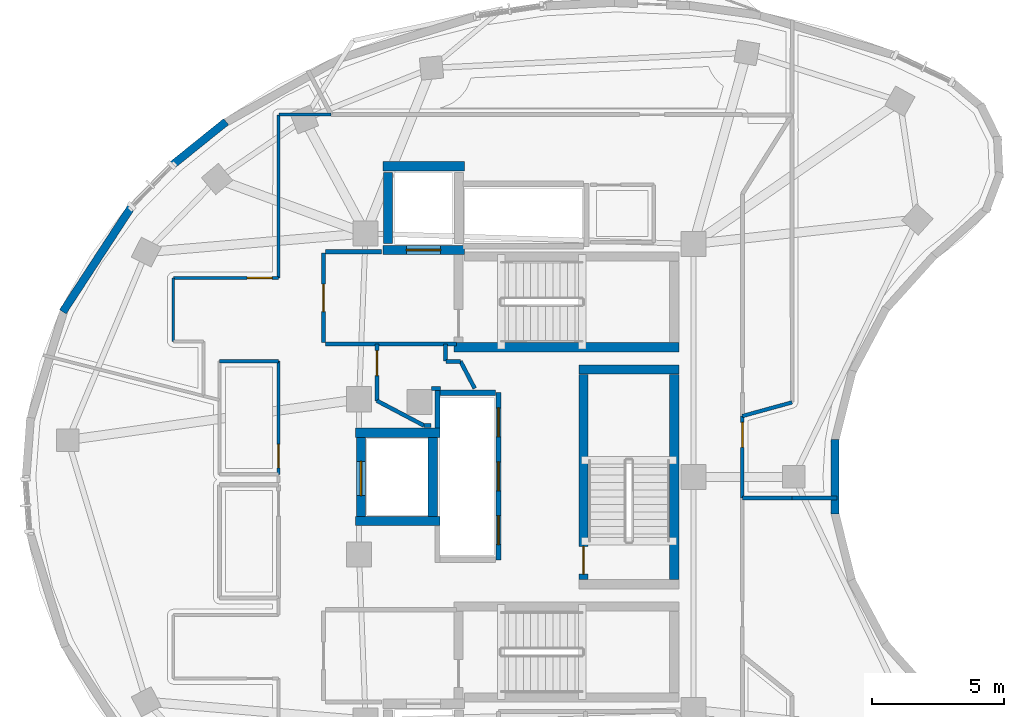
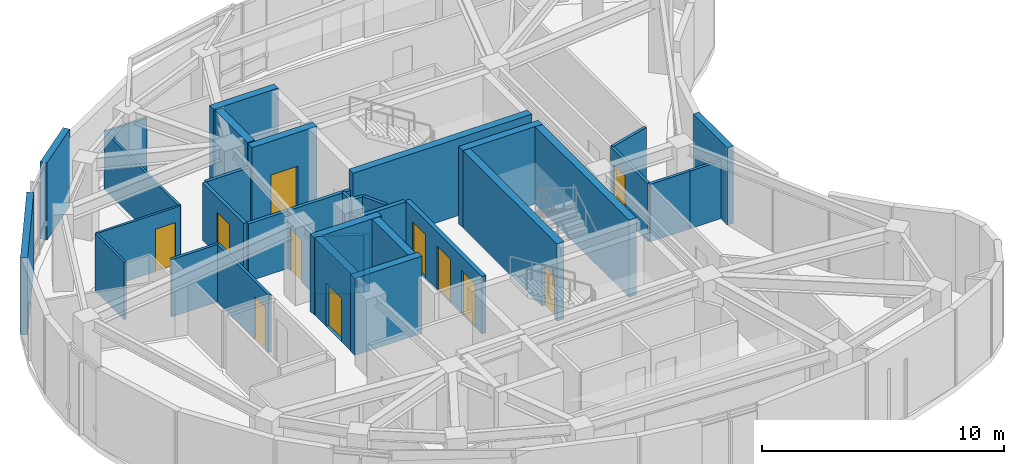
# One storey, part 5 of 10: 37 walls, 11 doors, 11 openings.
"""IFC4 building model written with IfcOpenShell, lengths in metres."""

from ifc_helpers import new_model, si_unit, direction, frame, frame_2d, origin, place, context, subcontext, project, spatial, rectangle, extrude, material, layer, layer_set, type_object, element, fill, save


model = new_model("IFC4")

# Units and contexts
model_context = context("Model", 3, precision=1e-05, world=origin(), true_north=direction((0.0, 1.0)))
body_context = subcontext(model_context, "Body", "Model", "MODEL_VIEW")
ifc_project = project(units=[si_unit("LENGTHUNIT", "METRE"), si_unit("AREAUNIT", "SQUARE_METRE"), si_unit("VOLUMEUNIT", "CUBIC_METRE"), si_unit("PLANEANGLEUNIT", "RADIAN"), si_unit("MASSUNIT", "GRAM", prefix="KILO")], contexts=[model_context])

# Site, building, storey
site_placement = place(None, origin())
site = spatial("IfcSite", under=ifc_project, at=site_placement, CompositionType="ELEMENT")
building_placement = place(site_placement, origin())
building = spatial("IfcBuilding", under=site, at=building_placement, Name="Korentha Bioscience Tower", CompositionType="ELEMENT")
storey_placement = place(building_placement, frame((0.0, 0.0, 306.0)))
storey = spatial("IfcBuildingStorey", under=building, at=storey_placement, Name="L70", CompositionType="ELEMENT", Elevation=306.0)

# Wall, opening, door
ifc_material_1 = material(Name="Double-Stud Acoustic Gypsum", Category="gypsum")
ifc_layer_1 = layer(ifc_material_1, 0.14990234375, Name="Double-Stud Acoustic Gypsum")
ifc_layer_set_1 = layer_set([ifc_layer_1], Name="Double-Stud Acoustic Gypsum (IW-L150)")
wall_type_1 = type_object("IfcWallType", Name="Acoustic Laboratory Partition Wall 150", PredefinedType="PARTITIONING", material=ifc_layer_set_1)
wall_1_placement = place(storey_placement, frame((25.530029296875, 29.89208984375, 0.0), z_axis=(0.0, 0.0, 1.0), x_axis=(0.0, 1.0, 0.0)))
wall_1 = element("IfcWall", 1, at=wall_1_placement, inside=storey, type_object=wall_type_1, Name="L70 Translational Medicine Team Office 10 Entrance Wall", PredefinedType="PARTITIONING", context=body_context, shape_type="SweptSolid", body=[
    extrude(rectangle(XDim=2.14794921875, YDim=0.14990234375, at=frame_2d((1.073974609375, 0.0))), origin(), (0.0, 0.0, 1.0), 2.909912109375),
])
opening_1_placement = place(wall_1_placement, frame((0.9580078125, 0.0, 0.0)))
opening_1 = element("IfcOpeningElement", 2, at=opening_1_placement, cuts=wall_1, Name="Opening ID-10R", PredefinedType="OPENING", context=body_context, shape_type="SweptSolid", body=[
    extrude(rectangle(XDim=0.949951171875, YDim=2.14990234375, at=frame_2d((0.47509765625, 1.074951171875))), frame((0.0, 0.08984375, 0.0), z_axis=(0.0, -1.0, 0.0), x_axis=(1.0, 0.0, 0.0)), (0.0, 0.0, 1.0), 0.1796875),
])
ifc_material_2 = material(Name="Phenolic Laminate Timber Core", Category="wood")
door_type_1 = type_object("IfcDoorType", Name="Laboratory Single Leaf Door 950x2150 Right", OperationType="SINGLE_SWING_RIGHT", PredefinedType="DOOR", material=ifc_material_2)
door_1_placement = place(opening_1_placement, origin())
door_1 = element("IfcDoor", 3, at=door_1_placement, inside=storey, type_object=door_type_1, Name="L70 Translational Medicine Team Office 10 Door", OperationType="SINGLE_SWING_RIGHT", OverallHeight=2.14990234375, OverallWidth=0.949951171875, PredefinedType="DOOR", context=body_context, shape_type="SweptSolid", body=[
    extrude(rectangle(XDim=0.949951171875, YDim=2.14990234375, at=frame_2d((0.47509765625, 1.074951171875))), frame((0.0, 0.02490234375, 0.0), z_axis=(0.0, -1.0, 0.0), x_axis=(1.0, 0.0, 0.0)), (0.0, 0.0, 1.0), 0.050048828125),
])
fill(opening_1, door_1)

# Walls
wall_2_placement = place(storey_placement, frame((27.93408203125, 30.360107421875, 0.0), z_axis=(0.0, 0.0, 1.0), x_axis=(-1.0, 0.0, 0.0)))
element("IfcWall", 4, at=wall_2_placement, inside=storey, type_object=wall_type_1, Name="L70 Interior Partition 062", PredefinedType="PARTITIONING", context=body_context, shape_type="SweptSolid", body=[
    extrude(rectangle(XDim=0.333984375, YDim=0.14990234375, at=frame_2d((0.1669921875, 0.0))), origin(), (0.0, 0.0, 1.0), 2.909912109375),
])
wall_3_placement = place(storey_placement, frame((27.590087890625, 28.949951171875, 0.0), z_axis=(0.0, 0.0, 1.0), x_axis=(-1.0, 0.0, 0.0)))
element("IfcWall", 5, at=wall_3_placement, inside=storey, type_object=wall_type_1, Name="L70 Interior Partition 063", PredefinedType="PARTITIONING", context=body_context, shape_type="SweptSolid", body=[
    extrude(rectangle(XDim=0.2734375, YDim=0.14990234375, at=frame_2d((0.13671875, 0.0))), origin(), (0.0, 0.0, 1.0), 2.909912109375),
])
wall_4_placement = place(storey_placement, frame((27.316650390625, 28.949951171875, 0.0), z_axis=(0.0, 0.0, 1.0), x_axis=(-0.884548245422, 0.466448712638, 0.0)))
element("IfcWall", 6, at=wall_4_placement, inside=storey, type_object=wall_type_1, Name="L70 Interior Partition 064", PredefinedType="PARTITIONING", context=body_context, shape_type="SweptSolid", body=[
    extrude(rectangle(XDim=2.019775390625, YDim=0.14990234375, at=frame_2d((1.009765625, 0.0))), origin(), (0.0, 0.0, 1.0), 2.909912109375),
])
wall_5_placement = place(storey_placement, frame((28.139892578125, 32.0400390625, 0.0), z_axis=(0.0, 0.0, 1.0), x_axis=(0.0, -1.0, 0.0)))
element("IfcWall", 7, at=wall_5_placement, inside=storey, type_object=wall_type_1, Name="L70 Interior Partition 065", PredefinedType="PARTITIONING", context=body_context, shape_type="SweptSolid", body=[
    extrude(rectangle(XDim=0.64013671875, YDim=0.14990234375, at=frame_2d((0.320068359375, 0.0))), origin(), (0.0, 0.0, 1.0), 2.909912109375),
])
wall_6_placement = place(storey_placement, frame((28.14990234375, 31.389892578125, 0.0), z_axis=(0.0, 0.0, 1.0), x_axis=(1.0, 0.0, 0.0)))
element("IfcWall", 8, at=wall_6_placement, inside=storey, type_object=wall_type_1, Name="L70 Interior Partition 066", PredefinedType="PARTITIONING", context=body_context, shape_type="SweptSolid", body=[
    extrude(rectangle(XDim=0.553955078125, YDim=0.14990234375, at=frame_2d((0.27685546875, 0.0))), origin(), (0.0, 0.0, 1.0), 2.909912109375),
])
wall_7_placement = place(storey_placement, frame((28.703857421875, 31.389892578125, 0.0), z_axis=(0.0, 0.0, 1.0), x_axis=(0.464924396498, -0.885350385746, 0.0)))
element("IfcWall", 9, at=wall_7_placement, inside=storey, type_object=wall_type_1, Name="L70 Interior Partition 067", PredefinedType="PARTITIONING", context=body_context, shape_type="SweptSolid", body=[
    extrude(rectangle(XDim=1.1630859375, YDim=0.14990234375, at=frame_2d((0.58154296875, 0.0))), origin(), (0.0, 0.0, 1.0), 2.909912109375),
])

# Wall, opening, door
ifc_material_3 = material(Name="Insulated Aluminium Honeycomb Panel", Category="aluminium")
ifc_layer_2 = layer(ifc_material_3, 0.139892578125, Name="Insulated Aluminium Honeycomb Panel")
ifc_layer_set_2 = layer_set([ifc_layer_2], Name="Insulated Aluminium Honeycomb Panel (IW-F60)")
wall_type_2 = type_object("IfcWallType", Name="Cleanroom Flush Metal Panel Partition 140", PredefinedType="PARTITIONING", material=ifc_layer_set_2)
wall_8_placement = place(storey_placement, frame((39.409912109375, 26.2080078125, 0.0), z_axis=(0.0, 0.0, 1.0), x_axis=(0.0, 1.0, 0.0)))
wall_8 = element("IfcWall", 10, at=wall_8_placement, inside=storey, type_object=wall_type_2, Name="L70 Airlock Gowning Anteroom 07 Entrance Wall", PredefinedType="PARTITIONING", context=body_context, shape_type="SweptSolid", body=[
    extrude(rectangle(XDim=3.103271484375, YDim=0.139892578125, at=frame_2d((1.5517578125, 0.0))), origin(), (0.0, 0.0, 1.0), 2.909912109375),
])
opening_2_placement = place(wall_8_placement, frame((1.913330078125, 0.0, 0.0)))
opening_2 = element("IfcOpeningElement", 11, at=opening_2_placement, cuts=wall_8, Name="Opening ID-10L", PredefinedType="OPENING", context=body_context, shape_type="SweptSolid", body=[
    extrude(rectangle(XDim=0.949951171875, YDim=2.14990234375, at=frame_2d((0.47509765625, 1.074951171875))), frame((0.0, 0.0849609375, 0.0), z_axis=(0.0, -1.0, 0.0), x_axis=(1.0, 0.0, 0.0)), (0.0, 0.0, 1.0), 0.169677734375),
])
door_type_2 = type_object("IfcDoorType", Name="Laboratory Single Leaf Door 950x2150 Left", OperationType="SINGLE_SWING_LEFT", PredefinedType="DOOR", material=ifc_material_2)
door_2_placement = place(opening_2_placement, origin())
door_2 = element("IfcDoor", 12, at=door_2_placement, inside=storey, type_object=door_type_2, Name="L70 Airlock Gowning Anteroom 07 Door", OperationType="SINGLE_SWING_LEFT", OverallHeight=2.14990234375, OverallWidth=0.949951171875, PredefinedType="DOOR", context=body_context, shape_type="SweptSolid", body=[
    extrude(rectangle(XDim=0.949951171875, YDim=2.14990234375, at=frame_2d((0.47509765625, 1.074951171875))), frame((0.0, 0.02490234375, 0.0), z_axis=(0.0, -1.0, 0.0), x_axis=(1.0, 0.0, 0.0)), (0.0, 0.0, 1.0), 0.050048828125),
])
fill(opening_2, door_2)

# Walls
wall_9_placement = place(storey_placement, frame((41.30224609375, 26.197998046875, 0.0), z_axis=(0.0, 0.0, 1.0), x_axis=(1.0, 0.0, 0.0)))
element("IfcWall", 13, at=wall_9_placement, inside=storey, type_object=wall_type_2, Name="L70 Interior Partition 049", PredefinedType="PARTITIONING", context=body_context, shape_type="SweptSolid", body=[
    extrude(rectangle(XDim=1.708984375, YDim=0.139892578125, at=frame_2d((0.8544921875, 0.0))), origin(), (0.0, 0.0, 1.0), 2.909912109375),
])
wall_10_placement = place(storey_placement, frame((39.409912109375, 26.197998046875, 0.0), z_axis=(0.0, 0.0, 1.0), x_axis=(1.0, 0.0, 0.0)))
element("IfcWall", 14, at=wall_10_placement, inside=storey, type_object=wall_type_2, Name="L70 Interior Partition 054", PredefinedType="PARTITIONING", context=body_context, shape_type="SweptSolid", body=[
    extrude(rectangle(XDim=1.887939453125, YDim=0.139892578125, at=frame_2d((0.94384765625, 0.0))), origin(), (0.0, 0.0, 1.0), 2.909912109375),
])
wall_11_placement = place(storey_placement, frame((39.409912109375, 29.311279296875, 0.0), z_axis=(0.0, 0.0, 1.0), x_axis=(0.964096140727, 0.26555344365, 0.0)))
element("IfcWall", 15, at=wall_11_placement, inside=storey, type_object=wall_type_2, Name="L70 Interior Partition 057", PredefinedType="PARTITIONING", context=body_context, shape_type="SweptSolid", body=[
    extrude(rectangle(XDim=1.958251953125, YDim=0.139892578125, at=frame_2d((0.97900390625, 0.0))), origin(), (0.0, 0.0, 1.0), 2.909912109375),
])

# Wall, opening, door
ifc_material_4 = material(Name="Fire-Rated Framed Glass", Category="glass")
ifc_layer_3 = layer(ifc_material_4, 0.110107421875, Name="Fire-Rated Framed Glass")
ifc_layer_set_3 = layer_set([ifc_layer_3], Name="Fire-Rated Framed Glass (IW-G110)")
wall_type_3 = type_object("IfcWallType", Name="Demountable Glazed Office Partition 110", PredefinedType="MOVABLE", material=ifc_layer_set_3)
wall_12_placement = place(storey_placement, frame((21.7900390625, 34.56005859375, 0.0), z_axis=(0.0, 0.0, 1.0), x_axis=(-1.0, 0.0, 0.0)))
wall_12 = element("IfcWall", 16, at=wall_12_placement, inside=storey, type_object=wall_type_3, Name="L70 Biostatistics Research Office 11 Entrance Wall", PredefinedType="MOVABLE", context=body_context, shape_type="SweptSolid", body=[
    extrude(rectangle(XDim=3.989990234375, YDim=0.110107421875, at=frame_2d((1.9951171875, 0.0))), origin(), (0.0, 0.0, 1.0), 2.909912109375),
])
opening_3_placement = place(wall_12_placement, frame((0.239990234375, 0.0, 0.0)))
opening_3 = element("IfcOpeningElement", 17, at=opening_3_placement, cuts=wall_12, Name="Opening ID-10L", PredefinedType="OPENING", context=body_context, shape_type="SweptSolid", body=[
    extrude(rectangle(XDim=0.949951171875, YDim=2.14990234375, at=frame_2d((0.47509765625, 1.074951171875))), frame((0.0, 0.06982421875, 0.0), z_axis=(0.0, -1.0, 0.0), x_axis=(1.0, 0.0, 0.0)), (0.0, 0.0, 1.0), 0.139892578125),
])
door_3_placement = place(opening_3_placement, origin())
door_3 = element("IfcDoor", 18, at=door_3_placement, inside=storey, type_object=door_type_2, Name="L70 Biostatistics Research Office 11 Door", OperationType="SINGLE_SWING_LEFT", OverallHeight=2.14990234375, OverallWidth=0.949951171875, PredefinedType="DOOR", context=body_context, shape_type="SweptSolid", body=[
    extrude(rectangle(XDim=0.949951171875, YDim=2.14990234375, at=frame_2d((0.47509765625, 1.074951171875))), frame((0.0, 0.02490234375, 0.0), z_axis=(0.0, -1.0, 0.0), x_axis=(1.0, 0.0, 0.0)), (0.0, 0.0, 1.0), 0.050048828125),
])
fill(opening_3, door_3)

# Walls
wall_13_placement = place(storey_placement, frame((23.777587890625, 40.760009765625, 0.0), z_axis=(0.0, 0.0, 1.0), x_axis=(-1.0, 0.0, 0.0)))
element("IfcWall", 19, at=wall_13_placement, inside=storey, type_object=wall_type_3, Name="L70 Interior Partition 068", PredefinedType="MOVABLE", context=body_context, shape_type="SweptSolid", body=[
    extrude(rectangle(XDim=1.9775390625, YDim=0.110107421875, at=frame_2d((0.98876953125, 0.0))), origin(), (0.0, 0.0, 1.0), 2.909912109375),
])
wall_14_placement = place(storey_placement, frame((21.7900390625, 40.75, 0.0), z_axis=(0.0, 0.0, 1.0), x_axis=(0.0, -1.0, 0.0)))
element("IfcWall", 20, at=wall_14_placement, inside=storey, type_object=wall_type_3, Name="L70 Interior Partition 069", PredefinedType="MOVABLE", context=body_context, shape_type="SweptSolid", body=[
    extrude(rectangle(XDim=6.18994140625, YDim=0.110107421875, at=frame_2d((3.094970703125, 0.0))), origin(), (0.0, 0.0, 1.0), 2.909912109375),
])
wall_15_placement = place(storey_placement, frame((17.7900390625, 34.550048828125, 0.0), z_axis=(0.0, 0.0, 1.0), x_axis=(0.0, -1.0, 0.0)))
element("IfcWall", 21, at=wall_15_placement, inside=storey, type_object=wall_type_3, Name="L70 Interior Partition 070", PredefinedType="MOVABLE", context=body_context, shape_type="SweptSolid", body=[
    extrude(rectangle(XDim=2.400146484375, YDim=0.110107421875, at=frame_2d((1.2001953125, 0.0))), origin(), (0.0, 0.0, 1.0), 2.909912109375),
])

# Wall, opening, door
ifc_material_5 = material(Name="Gypsum-Clad Steel Stud", Category="steel")
ifc_layer_4 = layer(ifc_material_5, 0.159912109375, Name="Gypsum-Clad Steel Stud")
ifc_layer_set_4 = layer_set([ifc_layer_4], Name="Gypsum-Clad Steel Stud (IW-C160)")
wall_type_4 = type_object("IfcWallType", Name="Fire-Rated Corridor Partition Wall 160", PredefinedType="PARTITIONING", material=ifc_layer_set_4)
wall_16_placement = place(storey_placement, frame((23.5, 32.10009765625, 0.0), z_axis=(0.0, 0.0, 1.0), x_axis=(0.0, 1.0, 0.0)))
wall_16 = element("IfcWall", 22, at=wall_16_placement, inside=storey, type_object=wall_type_4, Name="L70 FFLN-CW Rated Enclosure Wall", PredefinedType="PARTITIONING", context=body_context, shape_type="SweptSolid", body=[
    extrude(rectangle(XDim=3.39990234375, YDim=0.159912109375, at=frame_2d((1.699951171875, 0.0))), origin(), (0.0, 0.0, 1.0), 2.909912109375),
])
opening_4_placement = place(wall_16_placement, frame((1.175048828125, 0.0, 0.0)))
opening_4 = element("IfcOpeningElement", 23, at=opening_4_placement, cuts=wall_16, Name="Opening FD-90L", PredefinedType="OPENING", context=body_context, shape_type="SweptSolid", body=[
    extrude(rectangle(XDim=1.050048828125, YDim=2.14990234375, at=frame_2d((0.52490234375, 1.074951171875))), frame((0.0, 0.0947265625, 0.0), z_axis=(0.0, -1.0, 0.0), x_axis=(1.0, 0.0, 0.0)), (0.0, 0.0, 1.0), 0.189697265625),
])
ifc_material_6 = material(Name="Powder-Coated Fire-Rated Steel", Category="steel")
door_type_3 = type_object("IfcDoorType", Name="Stairwell Fire Exit Door 1050x2150 Left", OperationType="SINGLE_SWING_LEFT", PredefinedType="DOOR", material=ifc_material_6)
door_4_placement = place(opening_4_placement, origin())
door_4 = element("IfcDoor", 24, at=door_4_placement, inside=storey, type_object=door_type_3, Name="L70 North Firefighting Lobby Door", OperationType="SINGLE_SWING_LEFT", OverallHeight=2.14990234375, OverallWidth=1.050048828125, PredefinedType="DOOR", context=body_context, shape_type="SweptSolid", body=[
    extrude(rectangle(XDim=1.050048828125, YDim=2.14990234375, at=frame_2d((0.52490234375, 1.074951171875))), frame((0.0, 0.02490234375, 0.0), z_axis=(0.0, -1.0, 0.0), x_axis=(1.0, 0.0, 0.0)), (0.0, 0.0, 1.0), 0.050048828125),
])
fill(opening_4, door_4)

# Walls
wall_17_placement = place(storey_placement, frame((23.580078125, 32.050048828125, 0.0), z_axis=(0.0, 0.0, 1.0), x_axis=(1.0, 0.0, 0.0)))
element("IfcWall", 25, at=wall_17_placement, inside=storey, type_object=wall_type_4, Name="L70 Firefighting Lobby Return Wall FFLN-S", PredefinedType="PARTITIONING", context=body_context, shape_type="SweptSolid", body=[
    extrude(rectangle(XDim=4.969970703125, YDim=0.159912109375, at=frame_2d((2.48486328125, 0.0))), origin(), (0.0, 0.0, 1.0), 2.909912109375),
])
wall_18_placement = place(storey_placement, frame((23.580078125, 35.550048828125, 0.0), z_axis=(0.0, 0.0, 1.0), x_axis=(1.0, 0.0, 0.0)))
element("IfcWall", 26, at=wall_18_placement, inside=storey, type_object=wall_type_4, Name="L70 Firefighting Lobby Return Wall FFLN-N", PredefinedType="PARTITIONING", context=body_context, shape_type="SweptSolid", body=[
    extrude(rectangle(XDim=2.119873046875, YDim=0.159912109375, at=frame_2d((1.06005859375, 0.0))), origin(), (0.0, 0.0, 1.0), 2.909912109375),
])
ifc_material_7 = material(Name="Honed Limestone Precast Concrete C40", Category="masonry")
ifc_layer_5 = layer(ifc_material_7, 0.300048828125, Name="Honed Limestone Precast Concrete C40")
ifc_layer_set_5 = layer_set([ifc_layer_5], Name="Honed Limestone Precast Concrete C40 (EW-ST300)")
wall_type_5 = type_object("IfcWallType", Name="Honed Limestone Cavity Spandrel Wall 300", PredefinedType="STANDARD", material=ifc_layer_set_5)
wall_19_placement = place(storey_placement, frame((19.7998046875, 40.49267578125, 0.0), z_axis=(0.0, 0.0, 1.0), x_axis=(-0.778800498168, -0.627271698751, 0.0)))
element("IfcWall", 27, at=wall_19_placement, inside=storey, type_object=wall_type_5, Name="L70 Limestone Perimeter Closure Wall 12", PredefinedType="STANDARD", context=body_context, shape_type="SweptSolid", body=[
    extrude(rectangle(XDim=2.631103515625, YDim=0.300048828125, at=frame_2d((1.3154296875, 0.0))), origin(), (0.0, 0.0, 1.0), 3.89990234375),
])
wall_20_placement = place(storey_placement, frame((16.20849609375, 37.2685546875, 0.0), z_axis=(0.0, 0.0, 1.0), x_axis=(-0.546723072071, -0.837313491152, 0.0)))
element("IfcWall", 28, at=wall_20_placement, inside=storey, type_object=wall_type_5, Name="L70 Limestone Perimeter Closure Wall 14", PredefinedType="STANDARD", context=body_context, shape_type="SweptSolid", body=[
    extrude(rectangle(XDim=4.775390625, YDim=0.300048828125, at=frame_2d((2.3876953125, 0.0))), origin(), (0.0, 0.0, 1.0), 3.89990234375),
])
wall_21_placement = place(storey_placement, frame((42.92431640625, 25.585693359375, 0.0), z_axis=(0.0, 0.0, 1.0), x_axis=(0.0, 1.0, 0.0)))
element("IfcWall", 29, at=wall_21_placement, inside=storey, type_object=wall_type_5, Name="L70 Limestone Perimeter Closure Wall 49", PredefinedType="STANDARD", context=body_context, shape_type="SweptSolid", body=[
    extrude(rectangle(XDim=2.82861328125, YDim=0.300048828125, at=frame_2d((1.414306640625, 0.0))), origin(), (0.0, 0.0, 1.0), 3.89990234375),
])
ifc_material_8 = material(Name="Autoclaved Aerated Concrete Block C25", Category="concrete")
ifc_layer_6 = layer(ifc_material_8, 0.199951171875, Name="Autoclaved Aerated Concrete Block C25")
ifc_layer_set_6 = layer_set([ifc_layer_6], Name="Autoclaved Aerated Concrete Block C25 (IW-S200)")
wall_type_6 = type_object("IfcWallType", Name="Lift and Riser Shaft Enclosure Wall 200", PredefinedType="PARTITIONING", material=ifc_layer_set_6)
wall_22_placement = place(storey_placement, frame((27.830078125, 28.85888671875, 0.0), z_axis=(0.0, 0.0, 1.0), x_axis=(0.0, 1.0, 0.0)))
element("IfcWall", 30, at=wall_22_placement, inside=storey, type_object=wall_type_6, Name="L70 Lift Bank HIGH Shaft Wall -XN", PredefinedType="PARTITIONING", context=body_context, shape_type="SweptSolid", body=[
    extrude(rectangle(XDim=1.441162109375, YDim=0.199951171875, at=frame_2d((0.720703125, 0.0))), origin(), (0.0, 0.0, 1.0), 2.909912109375),
])

# Wall, openings, doors
wall_23_placement = place(storey_placement, frame((30.14990234375, 23.85009765625, 0.0), z_axis=(0.0, 0.0, 1.0), x_axis=(0.0, 1.0, 0.0)))
wall_23 = element("IfcWall", 31, at=wall_23_placement, inside=storey, type_object=wall_type_6, Name="L70 Lift Bank HIGH Shaft Wall +X", PredefinedType="PARTITIONING", context=body_context, shape_type="SweptSolid", body=[
    extrude(rectangle(XDim=6.349853515625, YDim=0.199951171875, at=frame_2d((3.1748046875, 0.0))), origin(), (0.0, 0.0, 1.0), 2.909912109375),
])
opening_5_placement = place(wall_23_placement, frame((0.580078125, 0.0, 0.0)))
opening_5 = element("IfcOpeningElement", 32, at=opening_5_placement, cuts=wall_23, Name="Opening LD-11", PredefinedType="OPENING", context=body_context, shape_type="SweptSolid", body=[
    extrude(rectangle(XDim=1.10009765625, YDim=2.199951171875, at=frame_2d((0.550048828125, 1.10009765625))), frame((0.0, 0.11474609375, 0.0), z_axis=(0.0, -1.0, 0.0), x_axis=(1.0, 0.0, 0.0)), (0.0, 0.0, 1.0), 0.229736328125),
])
opening_6_placement = place(wall_23_placement, frame((2.6201171875, 0.0, 0.0)))
opening_6 = element("IfcOpeningElement", 33, at=opening_6_placement, cuts=wall_23, Name="Opening LD-11", PredefinedType="OPENING", context=body_context, shape_type="SweptSolid", body=[
    extrude(rectangle(XDim=1.10009765625, YDim=2.199951171875, at=frame_2d((0.550048828125, 1.10009765625))), frame((0.0, 0.11474609375, 0.0), z_axis=(0.0, -1.0, 0.0), x_axis=(1.0, 0.0, 0.0)), (0.0, 0.0, 1.0), 0.229736328125),
])
opening_7_placement = place(wall_23_placement, frame((4.669921875, 0.0, 0.0)))
opening_7 = element("IfcOpeningElement", 34, at=opening_7_placement, cuts=wall_23, Name="Opening LD-11", PredefinedType="OPENING", context=body_context, shape_type="SweptSolid", body=[
    extrude(rectangle(XDim=1.10009765625, YDim=2.199951171875, at=frame_2d((0.550048828125, 1.10009765625))), frame((0.0, 0.11474609375, 0.0), z_axis=(0.0, -1.0, 0.0), x_axis=(1.0, 0.0, 0.0)), (0.0, 0.0, 1.0), 0.229736328125),
])
ifc_material_9 = material(Name="Brushed Stainless Steel 304", Category="steel")
door_type_4 = type_object("IfcDoorType", Name="Passenger Lift Sliding Landing Door 1100x2200", OperationType="DOUBLE_DOOR_SLIDING", PredefinedType="DOOR", material=ifc_material_9)
door_5_placement = place(opening_5_placement, origin())
door_5 = element("IfcDoor", 35, at=door_5_placement, inside=storey, type_object=door_type_4, Name="L70 PL-H1 Sliding Lift Landing Door", OperationType="DOUBLE_DOOR_SLIDING", OverallHeight=2.199951171875, OverallWidth=1.10009765625, PredefinedType="DOOR", context=body_context, shape_type="SweptSolid", body=[
    extrude(rectangle(XDim=1.10009765625, YDim=2.199951171875, at=frame_2d((0.550048828125, 1.10009765625))), frame((0.0, 0.02490234375, 0.0), z_axis=(0.0, -1.0, 0.0), x_axis=(1.0, 0.0, 0.0)), (0.0, 0.0, 1.0), 0.050048828125),
])
fill(opening_5, door_5)
door_6_placement = place(opening_6_placement, origin())
door_6 = element("IfcDoor", 36, at=door_6_placement, inside=storey, type_object=door_type_4, Name="L70 PL-H2 Sliding Lift Landing Door", OperationType="DOUBLE_DOOR_SLIDING", OverallHeight=2.199951171875, OverallWidth=1.10009765625, PredefinedType="DOOR", context=body_context, shape_type="SweptSolid", body=[
    extrude(rectangle(XDim=1.10009765625, YDim=2.199951171875, at=frame_2d((0.550048828125, 1.10009765625))), frame((0.0, 0.02490234375, 0.0), z_axis=(0.0, -1.0, 0.0), x_axis=(1.0, 0.0, 0.0)), (0.0, 0.0, 1.0), 0.050048828125),
])
fill(opening_6, door_6)
door_7_placement = place(opening_7_placement, origin())
door_7 = element("IfcDoor", 37, at=door_7_placement, inside=storey, type_object=door_type_4, Name="L70 PL-H3 Sliding Lift Landing Door", OperationType="DOUBLE_DOOR_SLIDING", OverallHeight=2.199951171875, OverallWidth=1.10009765625, PredefinedType="DOOR", context=body_context, shape_type="SweptSolid", body=[
    extrude(rectangle(XDim=1.10009765625, YDim=2.199951171875, at=frame_2d((0.550048828125, 1.10009765625))), frame((0.0, 0.02490234375, 0.0), z_axis=(0.0, -1.0, 0.0), x_axis=(1.0, 0.0, 0.0)), (0.0, 0.0, 1.0), 0.050048828125),
])
fill(opening_7, door_7)

# Walls
wall_24_placement = place(storey_placement, frame((27.93408203125, 30.199951171875, 0.0), z_axis=(0.0, 0.0, 1.0), x_axis=(1.0, 0.0, 0.0)))
element("IfcWall", 38, at=wall_24_placement, inside=storey, type_object=wall_type_6, Name="L70 Lift Bank HIGH Shaft Wall +Y", PredefinedType="PARTITIONING", context=body_context, shape_type="SweptSolid", body=[
    extrude(rectangle(XDim=2.095947265625, YDim=0.199951171875, at=frame_2d((1.0478515625, 0.0))), origin(), (0.0, 0.0, 1.0), 2.909912109375),
])
ifc_material_10 = material(Name="Concrete C50", Category="concrete")
ifc_layer_7 = layer(ifc_material_10, 0.35009765625, Name="Concrete C50")
ifc_layer_set_7 = layer_set([ifc_layer_7], Name="Concrete C50 (CW-C50)")
wall_type_7 = type_object("IfcWallType", Name="Upper Core Shear Wall 350", PredefinedType="SHEAR", material=ifc_layer_set_7)
wall_25_placement = place(storey_placement, frame((28.449951171875, 31.925048828125, 0.0), z_axis=(0.0, 0.0, 1.0), x_axis=(1.0, 0.0, 0.0)))
element("IfcWall", 39, at=wall_25_placement, inside=storey, type_object=wall_type_7, Name="L70 Core Shear Wall ST1-S", PredefinedType="SHEAR", context=body_context, shape_type="SweptSolid", body=[
    extrude(rectangle(XDim=8.550048828125, YDim=0.35009765625, at=frame_2d((4.27490234375, 0.0))), origin(), (0.0, 0.0, 1.0), 3.89990234375),
])
wall_26_placement = place(storey_placement, frame((33.199951171875, 31.074951171875, 0.0), z_axis=(0.0, 0.0, 1.0), x_axis=(1.0, 0.0, 0.0)))
element("IfcWall", 40, at=wall_26_placement, inside=storey, type_object=wall_type_7, Name="L70 Core Shear Wall ST3-N", PredefinedType="SHEAR", context=body_context, shape_type="SweptSolid", body=[
    extrude(rectangle(XDim=3.800048828125, YDim=0.35009765625, at=frame_2d((1.89990234375, 0.0))), origin(), (0.0, 0.0, 1.0), 3.89990234375),
])
wall_27_placement = place(storey_placement, frame((36.824951171875, 23.110107421875, 0.0), z_axis=(0.0, 0.0, 1.0), x_axis=(0.0, 1.0, 0.0)))
element("IfcWall", 41, at=wall_27_placement, inside=storey, type_object=wall_type_7, Name="L70 Core Shear Wall ST3-E", PredefinedType="SHEAR", context=body_context, shape_type="SweptSolid", body=[
    extrude(rectangle(XDim=7.77978515625, YDim=0.35009765625, at=frame_2d((3.889892578125, 0.0))), origin(), (0.0, 0.0, 1.0), 3.89990234375),
])

# Wall, opening, door
wall_28_placement = place(storey_placement, frame((33.375, 23.110107421875, 0.0), z_axis=(0.0, 0.0, 1.0), x_axis=(0.0, 1.0, 0.0)))
wall_28 = element("IfcWall", 42, at=wall_28_placement, inside=storey, type_object=wall_type_7, Name="L70 Core Shear Wall ST3-W", PredefinedType="SHEAR", context=body_context, shape_type="SweptSolid", body=[
    extrude(rectangle(XDim=7.77978515625, YDim=0.35009765625, at=frame_2d((3.889892578125, 0.0))), origin(), (0.0, 0.0, 1.0), 3.89990234375),
])
opening_8_placement = place(wall_28_placement, frame((0.199951171875, 0.0, 0.0)))
opening_8 = element("IfcOpeningElement", 43, at=opening_8_placement, cuts=wall_28, Name="Opening FD-90L", PredefinedType="OPENING", context=body_context, shape_type="SweptSolid", body=[
    extrude(rectangle(XDim=1.050048828125, YDim=2.14990234375, at=frame_2d((0.52490234375, 1.074951171875))), frame((0.0, 0.18994140625, 0.0), z_axis=(0.0, -1.0, 0.0), x_axis=(1.0, 0.0, 0.0)), (0.0, 0.0, 1.0), 0.3798828125),
])
door_8_placement = place(opening_8_placement, origin())
door_8 = element("IfcDoor", 44, at=door_8_placement, inside=storey, type_object=door_type_3, Name="L70 ST-3 Fire Exit Stair Door", OperationType="SINGLE_SWING_LEFT", OverallHeight=2.14990234375, OverallWidth=1.050048828125, PredefinedType="DOOR", context=body_context, shape_type="SweptSolid", body=[
    extrude(rectangle(XDim=1.050048828125, YDim=2.14990234375, at=frame_2d((0.52490234375, 1.074951171875))), frame((0.0, 0.02490234375, 0.0), z_axis=(0.0, -1.0, 0.0), x_axis=(1.0, 0.0, 0.0)), (0.0, 0.0, 1.0), 0.050048828125),
])
fill(opening_8, door_8)

# Wall
wall_29_placement = place(storey_placement, frame((25.75, 38.800048828125, 0.0), z_axis=(0.0, 0.0, 1.0), x_axis=(1.0, 0.0, 0.0)))
element("IfcWall", 45, at=wall_29_placement, inside=storey, type_object=wall_type_7, Name="L70 Core Shear Wall FFL2-N", PredefinedType="SHEAR", context=body_context, shape_type="SweptSolid", body=[
    extrude(rectangle(XDim=3.10009765625, YDim=0.35009765625, at=frame_2d((1.550048828125, 0.0))), origin(), (0.0, 0.0, 1.0), 3.89990234375),
])

# Wall, opening, door
wall_30_placement = place(storey_placement, frame((25.75, 35.6201171875, 0.0), z_axis=(0.0, 0.0, 1.0), x_axis=(1.0, 0.0, 0.0)))
wall_30 = element("IfcWall", 46, at=wall_30_placement, inside=storey, type_object=wall_type_7, Name="L70 Core Shear Wall FFL2-S", PredefinedType="SHEAR", context=body_context, shape_type="SweptSolid", body=[
    extrude(rectangle(XDim=3.10009765625, YDim=0.35009765625, at=frame_2d((1.550048828125, 0.0))), origin(), (0.0, 0.0, 1.0), 3.89990234375),
])
opening_9_placement = place(wall_30_placement, frame((0.89990234375, 0.0, 0.0)))
opening_9 = element("IfcOpeningElement", 47, at=opening_9_placement, cuts=wall_30, Name="Opening LD-13", PredefinedType="OPENING", context=body_context, shape_type="SweptSolid", body=[
    extrude(rectangle(XDim=1.300048828125, YDim=2.199951171875, at=frame_2d((0.64990234375, 1.10009765625))), frame((0.0, 0.18994140625, 0.0), z_axis=(0.0, -1.0, 0.0), x_axis=(1.0, 0.0, 0.0)), (0.0, 0.0, 1.0), 0.3798828125),
])
ifc_material_11 = material(Name="Brushed Stainless Steel 316", Category="steel")
door_type_5 = type_object("IfcDoorType", Name="Service & Firefighting Lift Landing Door 1300x2300", OperationType="DOUBLE_DOOR_SLIDING", PredefinedType="DOOR", material=ifc_material_11)
door_9_placement = place(opening_9_placement, origin())
door_9 = element("IfcDoor", 48, at=door_9_placement, inside=storey, type_object=door_type_5, Name="L70 FFL-2 Sliding Lift Landing Door", OperationType="DOUBLE_DOOR_SLIDING", OverallHeight=2.199951171875, OverallWidth=1.300048828125, PredefinedType="DOOR", context=body_context, shape_type="SweptSolid", body=[
    extrude(rectangle(XDim=1.300048828125, YDim=2.199951171875, at=frame_2d((0.64990234375, 1.10009765625))), frame((0.0, 0.02490234375, 0.0), z_axis=(0.0, -1.0, 0.0), x_axis=(1.0, 0.0, 0.0)), (0.0, 0.0, 1.0), 0.050048828125),
])
fill(opening_9, door_9)

# Walls
wall_31_placement = place(storey_placement, frame((25.949951171875, 35.860107421875, 0.0), z_axis=(0.0, 0.0, 1.0), x_axis=(0.0, 1.0, 0.0)))
element("IfcWall", 49, at=wall_31_placement, inside=storey, type_object=wall_type_7, Name="L70 Core Shear Wall FFL2-W", PredefinedType="SHEAR", context=body_context, shape_type="SweptSolid", body=[
    extrude(rectangle(XDim=2.699951171875, YDim=0.35009765625, at=frame_2d((1.35009765625, 0.0))), origin(), (0.0, 0.0, 1.0), 3.89990234375),
])
for number, where, z_axis, x_axis, name in (
    (50, (24.719970703125, 28.679931640625, 0.0), (0.0, 0.0, 1.0), (1.0, 0.0, 0.0), "L70 Core Shear Wall SVL1-N"),
    (51, (24.719970703125, 25.320068359375, 0.0), (0.0, 0.0, 1.0), (1.0, 0.0, 0.0), "L70 Core Shear Wall SVL1-S"),
):
    element("IfcWall", number, at=place(storey_placement, frame(where, z_axis=z_axis, x_axis=x_axis)), inside=storey, type_object=wall_type_7, Name=name, PredefinedType="SHEAR", context=body_context, shape_type="SweptSolid", body=[
        extrude(rectangle(XDim=3.2099609375, YDim=0.35009765625, at=frame_2d((1.60498046875, 0.0))), origin(), (0.0, 0.0, 1.0), 3.89990234375),
    ])

# Wall, opening, door
wall_32_placement = place(storey_placement, frame((24.919921875, 25.4970703125, 0.0), z_axis=(0.0, 0.0, 1.0), x_axis=(0.0, 1.0, 0.0)))
wall_32 = element("IfcWall", 52, at=wall_32_placement, inside=storey, type_object=wall_type_7, Name="L70 Core Shear Wall SVL1-W", PredefinedType="SHEAR", context=body_context, shape_type="SweptSolid", body=[
    extrude(rectangle(XDim=3.005859375, YDim=0.35009765625, at=frame_2d((1.5029296875, 0.0))), origin(), (0.0, 0.0, 1.0), 3.89990234375),
])
opening_10_placement = place(wall_32_placement, frame((0.7900390625, 0.0, 0.0)))
opening_10 = element("IfcOpeningElement", 53, at=opening_10_placement, cuts=wall_32, Name="Opening LD-13", PredefinedType="OPENING", context=body_context, shape_type="SweptSolid", body=[
    extrude(rectangle(XDim=1.300048828125, YDim=2.199951171875, at=frame_2d((0.64990234375, 1.10009765625))), frame((0.0, 0.18994140625, 0.0), z_axis=(0.0, -1.0, 0.0), x_axis=(1.0, 0.0, 0.0)), (0.0, 0.0, 1.0), 0.3798828125),
])
door_10_placement = place(opening_10_placement, origin())
door_10 = element("IfcDoor", 54, at=door_10_placement, inside=storey, type_object=door_type_5, Name="L70 SVL-1 Sliding Lift Landing Door", OperationType="DOUBLE_DOOR_SLIDING", OverallHeight=2.199951171875, OverallWidth=1.300048828125, PredefinedType="DOOR", context=body_context, shape_type="SweptSolid", body=[
    extrude(rectangle(XDim=1.300048828125, YDim=2.199951171875, at=frame_2d((0.64990234375, 1.10009765625))), frame((0.0, 0.02490234375, 0.0), z_axis=(0.0, -1.0, 0.0), x_axis=(1.0, 0.0, 0.0)), (0.0, 0.0, 1.0), 0.050048828125),
])
fill(opening_10, door_10)

# Wall
wall_33_placement = place(storey_placement, frame((27.64990234375, 25.4970703125, 0.0), z_axis=(0.0, 0.0, 1.0), x_axis=(0.0, 1.0, 0.0)))
element("IfcWall", 55, at=wall_33_placement, inside=storey, type_object=wall_type_7, Name="L70 Core Shear Wall SVL1-E", PredefinedType="SHEAR", context=body_context, shape_type="SweptSolid", body=[
    extrude(rectangle(XDim=3.005859375, YDim=0.35009765625, at=frame_2d((1.5029296875, 0.0))), origin(), (0.0, 0.0, 1.0), 3.89990234375),
])

# Wall, opening, door
ifc_material_12 = material(Name="Cement-Board Steel Stud", Category="steel")
ifc_layer_8 = layer(ifc_material_12, 0.1298828125, Name="Cement-Board Steel Stud")
ifc_layer_set_8 = layer_set([ifc_layer_8], Name="Cement-Board Steel Stud (IW-W130)")
wall_type_8 = type_object("IfcWallType", Name="Wet-Area Moisture-Resistant Partition 130", PredefinedType="PARTITIONING", material=ifc_layer_set_8)
wall_34_placement = place(storey_placement, frame((21.7900390625, 31.39990234375, 0.0), z_axis=(0.0, 0.0, 1.0), x_axis=(0.0, -1.0, 0.0)))
wall_34 = element("IfcWall", 56, at=wall_34_placement, inside=storey, type_object=wall_type_8, Name="L70 Reclaimed Bank-2 Accessible Staff WC Entrance Wall", PredefinedType="PARTITIONING", context=body_context, shape_type="SweptSolid", body=[
    extrude(rectangle(XDim=4.2998046875, YDim=0.1298828125, at=frame_2d((2.14990234375, 0.0))), origin(), (0.0, 0.0, 1.0), 2.909912109375),
])
opening_11_placement = place(wall_34_placement, frame((3.159912109375, 0.0, 0.0)))
opening_11 = element("IfcOpeningElement", 57, at=opening_11_placement, cuts=wall_34, Name="Opening ID-09R", PredefinedType="OPENING", context=body_context, shape_type="SweptSolid", body=[
    extrude(rectangle(XDim=0.89990234375, YDim=2.14990234375, at=frame_2d((0.449951171875, 1.074951171875))), frame((0.0, 0.079833984375, 0.0), z_axis=(0.0, -1.0, 0.0), x_axis=(1.0, 0.0, 0.0)), (0.0, 0.0, 1.0), 0.15966796875),
])
ifc_material_13 = material(Name="Moisture-Resistant HPL Leaf", Category="wood")
door_type_6 = type_object("IfcDoorType", Name="Restroom & Accessible WC Door 900x2150 Right", OperationType="SINGLE_SWING_RIGHT", PredefinedType="DOOR", material=ifc_material_13)
door_11_placement = place(opening_11_placement, origin())
door_11 = element("IfcDoor", 58, at=door_11_placement, inside=storey, type_object=door_type_6, Name="L70 Reclaimed Bank-2 Accessible Staff WC Door", OperationType="SINGLE_SWING_RIGHT", OverallHeight=2.14990234375, OverallWidth=0.89990234375, PredefinedType="DOOR", context=body_context, shape_type="SweptSolid", body=[
    extrude(rectangle(XDim=0.89990234375, YDim=2.14990234375, at=frame_2d((0.449951171875, 1.074951171875))), frame((0.0, 0.02490234375, 0.0), z_axis=(0.0, -1.0, 0.0), x_axis=(1.0, 0.0, 0.0)), (0.0, 0.0, 1.0), 0.050048828125),
])
fill(opening_11, door_11)

# Wall
wall_35_placement = place(storey_placement, frame((19.550048828125, 31.39990234375, 0.0), z_axis=(0.0, 0.0, 1.0), x_axis=(1.0, 0.0, 0.0)))
element("IfcWall", 59, at=wall_35_placement, inside=storey, type_object=wall_type_8, Name="L70 Interior Partition 026", PredefinedType="PARTITIONING", context=body_context, shape_type="SweptSolid", body=[
    extrude(rectangle(XDim=2.239990234375, YDim=0.1298828125, at=frame_2d((1.1201171875, 0.0))), origin(), (0.0, 0.0, 1.0), 2.909912109375),
])

save(model, "model.ifc")
